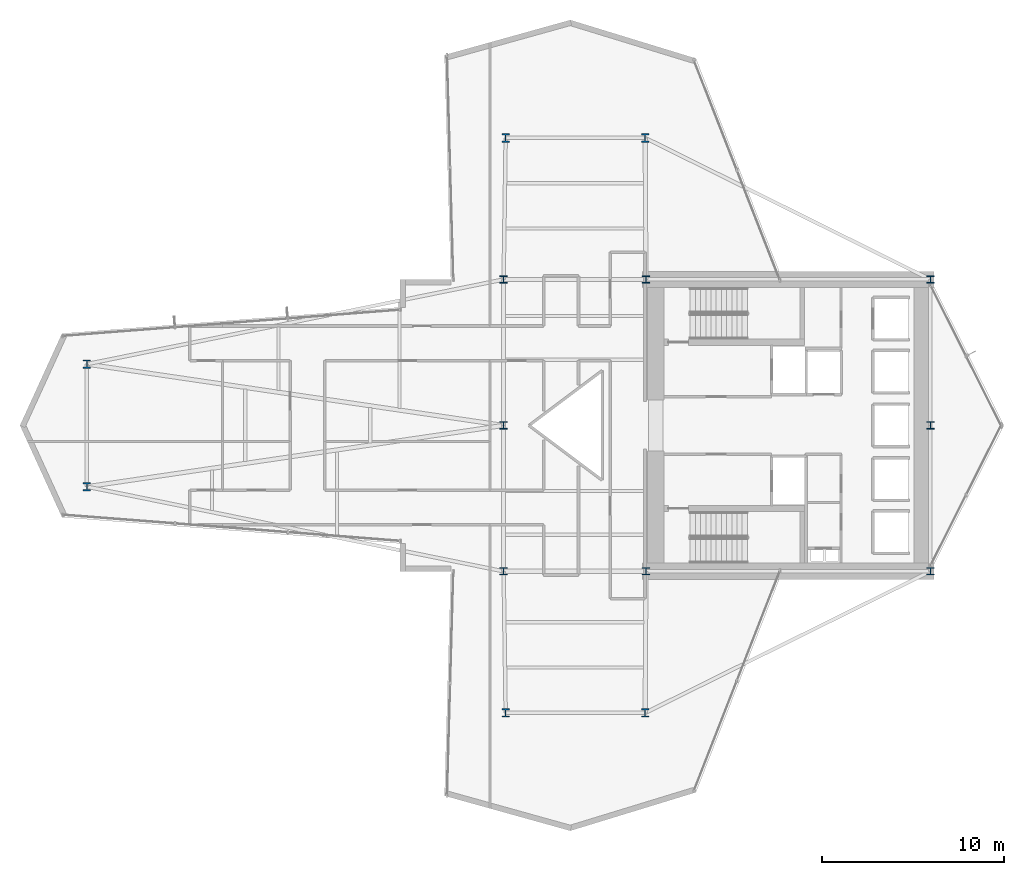
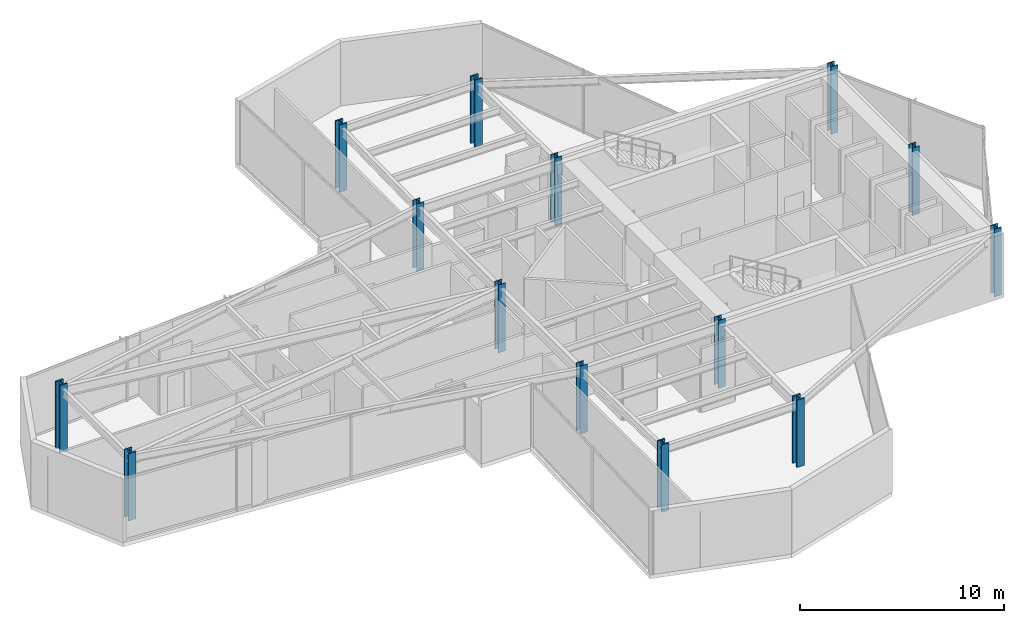
# One storey, part 1 of 30: 14 columns.
"""IFC4 building model written with IfcOpenShell, lengths in metres."""

from ifc_helpers import new_model, si_unit, direction, frame, origin, origin_2d, place, context, subcontext, project, spatial, i_section, extrude, material, material_profile, profile_set, type_object, element, save


model = new_model("IFC4")

# Units and contexts
model_context = context("Model", 3, precision=1e-05, world=origin(), true_north=direction((0.0, 1.0)))
body_context = subcontext(model_context, "Body", "Model", "MODEL_VIEW")
ifc_project = project(units=[si_unit("LENGTHUNIT", "METRE"), si_unit("AREAUNIT", "SQUARE_METRE"), si_unit("VOLUMEUNIT", "CUBIC_METRE"), si_unit("PLANEANGLEUNIT", "RADIAN"), si_unit("MASSUNIT", "GRAM", prefix="KILO")], contexts=[model_context])

# Site, building, storey
site_placement = place(None, origin())
site = spatial("IfcSite", under=ifc_project, at=site_placement, CompositionType="ELEMENT")
building_placement = place(site_placement, origin())
building = spatial("IfcBuilding", under=site, at=building_placement, Name="Veymaron Broadcast Tower", CompositionType="ELEMENT")
storey_placement = place(building_placement, frame((0.0, 0.0, 49.949951171875)))
storey = spatial("IfcBuildingStorey", under=building, at=storey_placement, Name="L10", CompositionType="ELEMENT", Elevation=49.949951171875)

# Columns
ifc_material = material(Name="Structural steel ASTM A913 Gr 65", Category="steel")
ifc_material_profile_1 = material_profile(ifc_material, i_section(OverallWidth=0.40087890625, OverallDepth=0.39892578125, WebThickness=0.02490234375, FlangeThickness=0.03955078125, at=origin_2d()), Name="W360X314")
ifc_profile_set_1 = profile_set([ifc_material_profile_1], Name="Structural steel ASTM A913 Gr 65")
column_type_1 = type_object("IfcColumnType", Name="COL-HC1", PredefinedType="COLUMN", material=ifc_profile_set_1)
for number, where, z_axis, x_axis, name in (
    (1, (31.199951171875, 16.0, 0.0), (0.0, 0.0, 1.0), (1.0, 0.0, 0.0), "L10 structural hub and core column"),
    (2, (31.199951171875, 24.0, 0.0), (0.0, 0.0, 1.0), (1.0, 0.0, 0.0), "L10 structural hub and core column"),
    (3, (31.199951171875, 32.0, 0.0), (0.0, 0.0, 1.0), (1.0, 0.0, 0.0), "L10 structural hub and core column"),
    (4, (39.0, 16.0, 0.0), (0.0, 0.0, 1.0), (1.0, 0.0, 0.0), "L10 structural hub and core column"),
    (5, (39.0, 32.0, 0.0), (0.0, 0.0, 1.0), (1.0, 0.0, 0.0), "L10 structural hub and core column"),
    (6, (54.60009765625, 16.0, 0.0), (0.0, 0.0, 1.0), (1.0, 0.0, 0.0), "L10 structural hub and core column"),
    (7, (54.60009765625, 24.0, 0.0), (0.0, 0.0, 1.0), (1.0, 0.0, 0.0), "L10 structural hub and core column"),
    (8, (54.60009765625, 32.0, 0.0), (0.0, 0.0, 1.0), (1.0, 0.0, 0.0), "L10 structural hub and core column"),
):
    element("IfcColumn", number, at=place(storey_placement, frame(where, z_axis=z_axis, x_axis=x_axis)), inside=storey, type_object=column_type_1, Name=name, PredefinedType="COLUMN", context=body_context, shape_type="SweptSolid", body=[
        extrude(i_section(OverallWidth=0.40087890625, OverallDepth=0.39892578125, WebThickness=0.02490234375, FlangeThickness=0.03955078125, at=origin_2d()), origin(), (0.0, 0.0, 1.0), 4.0439453125),
    ])
ifc_material_profile_2 = material_profile(ifc_material, i_section(OverallWidth=0.424072265625, OverallDepth=0.47412109375, WebThickness=0.047607421875, FlangeThickness=0.076904296875, at=origin_2d()), Name="W360X634")
ifc_profile_set_2 = profile_set([ifc_material_profile_2], Name="Structural steel ASTM A913 Gr 65")
column_type_2 = type_object("IfcColumnType", Name="COL-MC1", PredefinedType="COLUMN", material=ifc_profile_set_2)
for number, where, z_axis, x_axis, name in (
    (9, (8.35205078125, 20.639892578125, 0.01611328125), (0.0, 0.0, 1.0), (1.0, 0.0, 0.0), "L10 Tapered Wing Mega Column"),
    (10, (8.35205078125, 27.360107421875, 0.01611328125), (0.0, 0.0, 1.0), (1.0, 0.0, 0.0), "L10 Tapered Wing Mega Column"),
    (11, (31.31201171875, 39.760009765625, 0.01611328125), (0.0, 0.0, 1.0), (1.0, 0.0, 0.0), "L10 Tapered Wing Mega Column"),
    (12, (38.9599609375, 39.760009765625, 0.01611328125), (0.0, 0.0, 1.0), (1.0, 0.0, 0.0), "L10 Tapered Wing Mega Column"),
    (13, (31.31201171875, 8.239990234375, 0.01611328125), (0.0, 0.0, 1.0), (1.0, 0.0, 0.0), "L10 Tapered Wing Mega Column"),
    (14, (38.9599609375, 8.239990234375, 0.01611328125), (0.0, 0.0, 1.0), (1.0, 0.0, 0.0), "L10 Tapered Wing Mega Column"),
):
    element("IfcColumn", number, at=place(storey_placement, frame(where, z_axis=z_axis, x_axis=x_axis)), inside=storey, type_object=column_type_2, Name=name, PredefinedType="COLUMN", context=body_context, shape_type="SweptSolid", body=[
        extrude(i_section(OverallWidth=0.424072265625, OverallDepth=0.47412109375, WebThickness=0.047607421875, FlangeThickness=0.076904296875, at=origin_2d()), origin(), (0.0, 0.0, 1.0), 4.017822265625),
    ])

save(model, "model.ifc")
